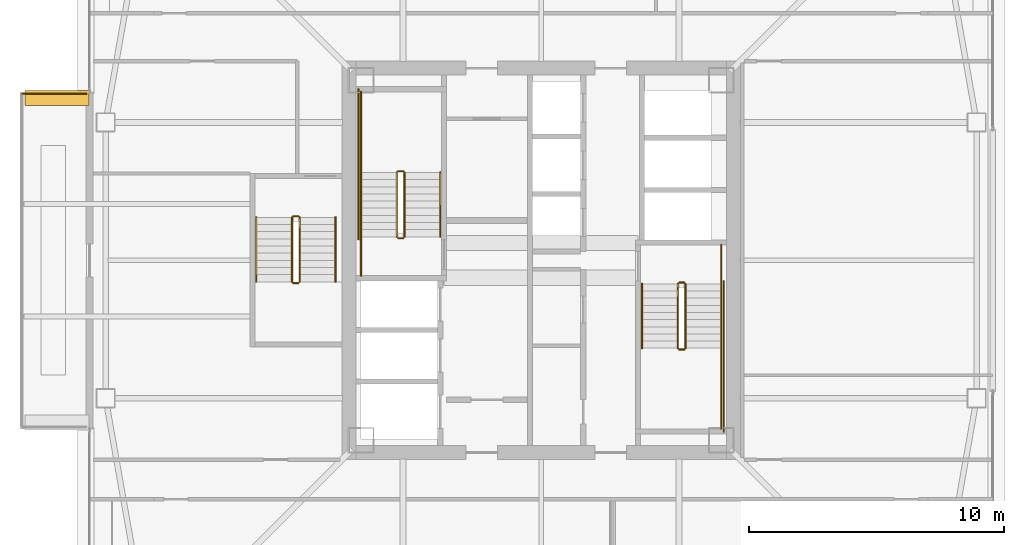
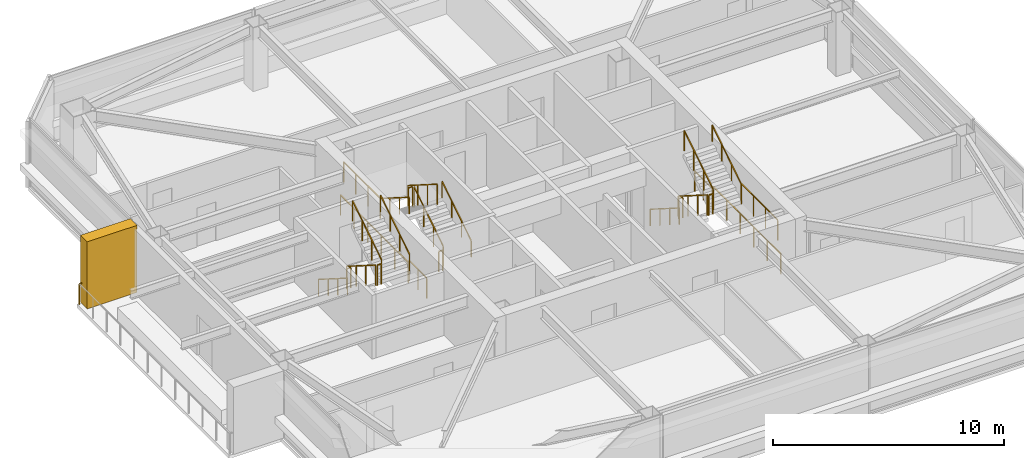
# One storey, part 37 of 41: 25 railings, 1 covering.
"""IFC4 building model written with IfcOpenShell, lengths in metres."""

from ifc_helpers import new_model, si_unit, direction, frame, origin, origin_2d, place, context, subcontext, project, spatial, rectangle, extrude, material, layer, layer_set, type_object, element, save


model = new_model("IFC4")

# Units and contexts
model_context = context("Model", 3, precision=1e-05, world=origin(), true_north=direction((0.0, 1.0)))
body_context = subcontext(model_context, "Body", "Model", "MODEL_VIEW")
ifc_project = project(units=[si_unit("LENGTHUNIT", "METRE"), si_unit("AREAUNIT", "SQUARE_METRE"), si_unit("VOLUMEUNIT", "CUBIC_METRE"), si_unit("PLANEANGLEUNIT", "RADIAN"), si_unit("MASSUNIT", "GRAM", prefix="KILO")], contexts=[model_context])

# Site, building, storey
site_placement = place(None, origin())
site = spatial("IfcSite", under=ifc_project, at=site_placement, CompositionType="ELEMENT")
building_placement = place(site_placement, origin())
building = spatial("IfcBuilding", under=site, at=building_placement, Name="Tashvorn Skyway Center", CompositionType="ELEMENT")
storey_placement = place(building_placement, frame((0.0, 0.0, 192.5)))
storey = spatial("IfcBuildingStorey", under=building, at=storey_placement, Name="L52", CompositionType="ELEMENT", Elevation=192.5)

# Covering
ifc_material_1 = material(Name="Precast concrete C40/50", Category="concrete")
ifc_layer = layer(ifc_material_1, 0.35009765625)
ifc_layer_set = layer_set([ifc_layer], Name="Precast concrete C40/50")
covering_type = type_object("IfcCoveringType", Name="COV-STONE-TRIM", PredefinedType="CLADDING", material=ifc_layer_set)
covering_placement = place(storey_placement, frame((23.050048828125, 38.35009765625, 0.0), z_axis=(0.0, 0.0, 1.0), x_axis=(0.0, 1.0, 0.0)))
element("IfcCovering", 1, at=covering_placement, inside=storey, type_object=covering_type, Name="Tower 1 L52 Sky Garden Loggia Pier R", PredefinedType="CLADDING", context=body_context, shape_type="SweptSolid", body=[
    extrude(rectangle(XDim=0.580078125, YDim=2.5, at=origin_2d()), origin(), (0.0, 0.0, 1.0), 3.550048828125),
])

# Railings
ifc_material_2 = material(Name="Galvanized steel S355", Category="steel")
railing_type_1 = type_object("IfcRailingType", Name="RAIL-GUARD-1120", PredefinedType="GUARDRAIL", material=ifc_material_2)
railing_1_placement = place(storey_placement, frame((21.679931640625, 38.52001953125, 0.0)))
element("IfcRailing", 2, at=railing_1_placement, inside=storey, type_object=railing_type_1, Name="L52 Tower 1 Terrace Guardrail 03", PredefinedType="GUARDRAIL", context=body_context, shape_type="SweptSolid", body=[
    extrude(rectangle(XDim=0.048095703125, YDim=0.048095703125, at=origin_2d()), frame((0.0, 0.0, 1.09619140625), z_axis=(1.0, 0.0, 0.0), x_axis=(0.0, 1.0, 0.0)), (0.0, 0.0, 1.0), 2.52001953125),
    extrude(rectangle(XDim=0.0419921875, YDim=0.0419921875, at=origin_2d()), origin(), (0.0, 0.0, 1.0), 1.072021484375),
    extrude(rectangle(XDim=0.0419921875, YDim=0.0419921875, at=origin_2d()), frame((0.840087890625, 0.0, 0.0)), (0.0, 0.0, 1.0), 1.072021484375),
    extrude(rectangle(XDim=0.0419921875, YDim=0.0419921875, at=origin_2d()), frame((1.679931640625, 0.0, 0.0)), (0.0, 0.0, 1.0), 1.072021484375),
    extrude(rectangle(XDim=0.0419921875, YDim=0.0419921875, at=origin_2d()), frame((2.52001953125, 0.0, 0.0)), (0.0, 0.0, 1.0), 1.072021484375),
])
ifc_material_3 = material(Name="Brushed stainless steel 316", Category="steel")
railing_type_2 = type_object("IfcRailingType", Name="RAIL-HAND-920", PredefinedType="HANDRAIL", material=ifc_material_3)
railing_2_placement = place(storey_placement, frame((38.050048828125, 32.919921875, 0.177490234375)))
element("IfcRailing", 3, at=railing_2_placement, inside=storey, type_object=railing_type_2, Name="L52 ST-T1-1 stair handrail 1", PredefinedType="HANDRAIL", context=body_context, shape_type="SweptSolid", body=[
    extrude(rectangle(XDim=0.048095703125, YDim=0.048095703125, at=origin_2d()), frame((0.0, 0.0, 0.8759765625), z_axis=(0.0, 0.84460694969, 0.535386869969), x_axis=(-1.0, 0.0, 0.0)), (0.0, 0.0, 1.0), 2.983642578125),
    extrude(rectangle(XDim=0.0419921875, YDim=0.0419921875, at=origin_2d()), origin(), (0.0, 0.0, 1.0), 0.851806640625),
    extrude(rectangle(XDim=0.0419921875, YDim=0.0419921875, at=origin_2d()), frame((0.0, 0.840087890625, 0.532470703125)), (0.0, 0.0, 1.0), 0.851806640625),
    extrude(rectangle(XDim=0.0419921875, YDim=0.0419921875, at=origin_2d()), frame((0.0, 1.679931640625, 1.06494140625)), (0.0, 0.0, 1.0), 0.851806640625),
    extrude(rectangle(XDim=0.0419921875, YDim=0.0419921875, at=origin_2d()), frame((0.0, 2.52001953125, 1.597412109375)), (0.0, 0.0, 1.0), 0.851806640625),
])
railing_3_placement = place(storey_placement, frame((34.949951171875, 35.43994140625, 1.952392578125)))
element("IfcRailing", 4, at=railing_3_placement, inside=storey, type_object=railing_type_2, Name="L52 ST-T1-1 stair handrail 2", PredefinedType="HANDRAIL", context=body_context, shape_type="SweptSolid", body=[
    extrude(rectangle(XDim=0.048095703125, YDim=0.048095703125, at=origin_2d()), frame((0.0, 0.0, 0.8759765625), z_axis=(0.0, -0.84456994832, 0.535445237532), x_axis=(1.0, 0.0, 0.0)), (0.0, 0.0, 1.0), 2.98388671875),
    extrude(rectangle(XDim=0.0419921875, YDim=0.0419921875, at=origin_2d()), origin(), (0.0, 0.0, 1.0), 0.851806640625),
    extrude(rectangle(XDim=0.0419921875, YDim=0.0419921875, at=origin_2d()), frame((0.0, -0.840087890625, 0.532470703125)), (0.0, 0.0, 1.0), 0.851806640625),
    extrude(rectangle(XDim=0.0419921875, YDim=0.0419921875, at=origin_2d()), frame((0.0, -1.679931640625, 1.065185546875)), (0.0, 0.0, 1.0), 0.851806640625),
    extrude(rectangle(XDim=0.0419921875, YDim=0.0419921875, at=origin_2d()), frame((0.0, -2.52001953125, 1.59765625)), (0.0, 0.0, 1.0), 0.851806640625),
])
railing_4_placement = place(storey_placement, frame((45.949951171875, 31.080078125, 0.177490234375)))
element("IfcRailing", 5, at=railing_4_placement, inside=storey, type_object=railing_type_2, Name="L52 ST-T1-2 stair handrail 1", PredefinedType="HANDRAIL", context=body_context, shape_type="SweptSolid", body=[
    extrude(rectangle(XDim=0.048095703125, YDim=0.048095703125, at=origin_2d()), frame((0.0, 0.0, 0.8759765625), z_axis=(0.0, -0.84460694969, 0.535386869969), x_axis=(1.0, 0.0, 0.0)), (0.0, 0.0, 1.0), 2.983642578125),
    extrude(rectangle(XDim=0.0419921875, YDim=0.0419921875, at=origin_2d()), origin(), (0.0, 0.0, 1.0), 0.851806640625),
    extrude(rectangle(XDim=0.0419921875, YDim=0.0419921875, at=origin_2d()), frame((0.0, -0.840087890625, 0.532470703125)), (0.0, 0.0, 1.0), 0.851806640625),
    extrude(rectangle(XDim=0.0419921875, YDim=0.0419921875, at=origin_2d()), frame((0.0, -1.679931640625, 1.06494140625)), (0.0, 0.0, 1.0), 0.851806640625),
    extrude(rectangle(XDim=0.0419921875, YDim=0.0419921875, at=origin_2d()), frame((0.0, -2.52001953125, 1.597412109375)), (0.0, 0.0, 1.0), 0.851806640625),
])
railing_5_placement = place(storey_placement, frame((49.050048828125, 28.56005859375, 1.952392578125)))
element("IfcRailing", 6, at=railing_5_placement, inside=storey, type_object=railing_type_2, Name="L52 ST-T1-2 stair handrail 2", PredefinedType="HANDRAIL", context=body_context, shape_type="SweptSolid", body=[
    extrude(rectangle(XDim=0.048095703125, YDim=0.048095703125, at=origin_2d()), frame((0.0, 0.0, 0.8759765625), z_axis=(0.0, 0.84456994832, 0.535445237532), x_axis=(-1.0, 0.0, 0.0)), (0.0, 0.0, 1.0), 2.98388671875),
    extrude(rectangle(XDim=0.0419921875, YDim=0.0419921875, at=origin_2d()), origin(), (0.0, 0.0, 1.0), 0.851806640625),
    extrude(rectangle(XDim=0.0419921875, YDim=0.0419921875, at=origin_2d()), frame((0.0, 0.840087890625, 0.532470703125)), (0.0, 0.0, 1.0), 0.851806640625),
    extrude(rectangle(XDim=0.0419921875, YDim=0.0419921875, at=origin_2d()), frame((0.0, 1.679931640625, 1.065185546875)), (0.0, 0.0, 1.0), 0.851806640625),
    extrude(rectangle(XDim=0.0419921875, YDim=0.0419921875, at=origin_2d()), frame((0.0, 2.52001953125, 1.59765625)), (0.0, 0.0, 1.0), 0.851806640625),
])
railing_6_placement = place(storey_placement, frame((30.85009765625, 33.679931640625, 0.177490234375)))
element("IfcRailing", 7, at=railing_6_placement, inside=storey, type_object=railing_type_2, Name="L52 ST-T1-3 stair handrail 1", PredefinedType="HANDRAIL", context=body_context, shape_type="SweptSolid", body=[
    extrude(rectangle(XDim=0.048095703125, YDim=0.048095703125, at=origin_2d()), frame((0.0, 0.0, 0.8759765625), z_axis=(0.0, -0.84460694969, 0.535386869969), x_axis=(1.0, 0.0, 0.0)), (0.0, 0.0, 1.0), 2.983642578125),
    extrude(rectangle(XDim=0.0419921875, YDim=0.0419921875, at=origin_2d()), origin(), (0.0, 0.0, 1.0), 0.851806640625),
    extrude(rectangle(XDim=0.0419921875, YDim=0.0419921875, at=origin_2d()), frame((0.0, -0.840087890625, 0.532470703125)), (0.0, 0.0, 1.0), 0.851806640625),
    extrude(rectangle(XDim=0.0419921875, YDim=0.0419921875, at=origin_2d()), frame((0.0, -1.679931640625, 1.06494140625)), (0.0, 0.0, 1.0), 0.851806640625),
    extrude(rectangle(XDim=0.0419921875, YDim=0.0419921875, at=origin_2d()), frame((0.0, -2.52001953125, 1.597412109375)), (0.0, 0.0, 1.0), 0.851806640625),
])
railing_7_placement = place(storey_placement, frame((33.949951171875, 31.159912109375, 1.952392578125)))
element("IfcRailing", 8, at=railing_7_placement, inside=storey, type_object=railing_type_2, Name="L52 ST-T1-3 stair handrail 2", PredefinedType="HANDRAIL", context=body_context, shape_type="SweptSolid", body=[
    extrude(rectangle(XDim=0.048095703125, YDim=0.048095703125, at=origin_2d()), frame((0.0, 0.0, 0.8759765625), z_axis=(0.0, 0.84456994832, 0.535445237532), x_axis=(-1.0, 0.0, 0.0)), (0.0, 0.0, 1.0), 2.98388671875),
    extrude(rectangle(XDim=0.0419921875, YDim=0.0419921875, at=origin_2d()), origin(), (0.0, 0.0, 1.0), 0.851806640625),
    extrude(rectangle(XDim=0.0419921875, YDim=0.0419921875, at=origin_2d()), frame((0.0, 0.840087890625, 0.532470703125)), (0.0, 0.0, 1.0), 0.851806640625),
    extrude(rectangle(XDim=0.0419921875, YDim=0.0419921875, at=origin_2d()), frame((0.0, 1.679931640625, 1.065185546875)), (0.0, 0.0, 1.0), 0.851806640625),
    extrude(rectangle(XDim=0.0419921875, YDim=0.0419921875, at=origin_2d()), frame((0.0, 2.52001953125, 1.59765625)), (0.0, 0.0, 1.0), 0.851806640625),
])
ifc_material_4 = material(Name="Painted galvanized steel S355", Category="steel")
railing_type_3 = type_object("IfcRailingType", Name="RAIL-STGUARD-1100", PredefinedType="GUARDRAIL", material=ifc_material_4)
railing_8_placement = place(storey_placement, frame((36.64990234375, 32.919921875, 0.177490234375)))
element("IfcRailing", 9, at=railing_8_placement, inside=storey, type_object=railing_type_3, Name="L52 ST-T1-1 stair guard 1", PredefinedType="GUARDRAIL", context=body_context, shape_type="SweptSolid", body=[
    extrude(rectangle(XDim=0.048095703125, YDim=0.048095703125, at=origin_2d()), frame((0.0, 0.0, 1.076171875), z_axis=(0.0, 0.84460694969, 0.535386869969), x_axis=(-1.0, 0.0, 0.0)), (0.0, 0.0, 1.0), 2.983642578125),
    extrude(rectangle(XDim=0.0419921875, YDim=0.0419921875, at=origin_2d()), origin(), (0.0, 0.0, 1.0), 1.052001953125),
    extrude(rectangle(XDim=0.0419921875, YDim=0.0419921875, at=origin_2d()), frame((0.0, 0.840087890625, 0.532470703125)), (0.0, 0.0, 1.0), 1.052001953125),
    extrude(rectangle(XDim=0.0419921875, YDim=0.0419921875, at=origin_2d()), frame((0.0, 1.679931640625, 1.06494140625)), (0.0, 0.0, 1.0), 1.052001953125),
    extrude(rectangle(XDim=0.0419921875, YDim=0.0419921875, at=origin_2d()), frame((0.0, 2.52001953125, 1.597412109375)), (0.0, 0.0, 1.0), 1.052001953125),
])
railing_9_placement = place(storey_placement, frame((36.60009765625, 35.489990234375, 1.77490234375)))
element("IfcRailing", 10, at=railing_9_placement, inside=storey, type_object=railing_type_3, Name="L52 ST-T1-1 stair guard 2", PredefinedType="GUARDRAIL", context=body_context, shape_type="SweptSolid", body=[
    extrude(rectangle(XDim=0.048095703125, YDim=0.048095703125, at=origin_2d()), frame((0.0, 0.0, 1.076171875), z_axis=(-1.0, 0.0, 0.0), x_axis=(0.0, -1.0, 0.0)), (0.0, 0.0, 1.0), 0.2001953125),
    extrude(rectangle(XDim=0.0419921875, YDim=0.0419921875, at=origin_2d()), origin(), (0.0, 0.0, 1.0), 1.052001953125),
    extrude(rectangle(XDim=0.0419921875, YDim=0.0419921875, at=origin_2d()), frame((-0.2001953125, 0.0, 0.0)), (0.0, 0.0, 1.0), 1.052001953125),
])
railing_10_placement = place(storey_placement, frame((34.949951171875, 35.43994140625, 1.77490234375)))
element("IfcRailing", 11, at=railing_10_placement, inside=storey, type_object=railing_type_3, Name="L52 ST-T1-1 stair guard 3", PredefinedType="GUARDRAIL", context=body_context, shape_type="SweptSolid", body=[
    extrude(rectangle(XDim=0.048095703125, YDim=0.048095703125, at=origin_2d()), frame((0.0, 0.0, 1.076171875), z_axis=(0.0, 1.0, 0.0), x_axis=(-1.0, 0.0, 0.0)), (0.0, 0.0, 1.0), 3.16015625),
    extrude(rectangle(XDim=0.0419921875, YDim=0.0419921875, at=origin_2d()), origin(), (0.0, 0.0, 1.0), 1.052001953125),
    extrude(rectangle(XDim=0.0419921875, YDim=0.0419921875, at=origin_2d()), frame((0.0, 1.053466796875, 0.0)), (0.0, 0.0, 1.0), 1.052001953125),
    extrude(rectangle(XDim=0.0419921875, YDim=0.0419921875, at=origin_2d()), frame((0.0, 2.106689453125, 0.0)), (0.0, 0.0, 1.0), 1.052001953125),
    extrude(rectangle(XDim=0.0419921875, YDim=0.0419921875, at=origin_2d()), frame((0.0, 3.16015625, 0.0)), (0.0, 0.0, 1.0), 1.052001953125),
])
railing_11_placement = place(storey_placement, frame((36.35009765625, 35.43994140625, 1.952392578125)))
element("IfcRailing", 12, at=railing_11_placement, inside=storey, type_object=railing_type_3, Name="L52 ST-T1-1 stair guard 4", PredefinedType="GUARDRAIL", context=body_context, shape_type="SweptSolid", body=[
    extrude(rectangle(XDim=0.048095703125, YDim=0.048095703125, at=origin_2d()), frame((0.0, 0.0, 1.076171875), z_axis=(0.0, -0.84456994832, 0.535445237532), x_axis=(1.0, 0.0, 0.0)), (0.0, 0.0, 1.0), 2.98388671875),
    extrude(rectangle(XDim=0.0419921875, YDim=0.0419921875, at=origin_2d()), origin(), (0.0, 0.0, 1.0), 1.052001953125),
    extrude(rectangle(XDim=0.0419921875, YDim=0.0419921875, at=origin_2d()), frame((0.0, -0.840087890625, 0.532470703125)), (0.0, 0.0, 1.0), 1.052001953125),
    extrude(rectangle(XDim=0.0419921875, YDim=0.0419921875, at=origin_2d()), frame((0.0, -1.679931640625, 1.065185546875)), (0.0, 0.0, 1.0), 1.052001953125),
    extrude(rectangle(XDim=0.0419921875, YDim=0.0419921875, at=origin_2d()), frame((0.0, -2.52001953125, 1.59765625)), (0.0, 0.0, 1.0), 1.052001953125),
])
railing_12_placement = place(storey_placement, frame((36.60009765625, 32.8701171875, 0.0)))
element("IfcRailing", 13, at=railing_12_placement, inside=storey, type_object=railing_type_3, Name="L52 ST-T1-1 stair guard 5", PredefinedType="GUARDRAIL", context=body_context, shape_type="SweptSolid", body=[
    extrude(rectangle(XDim=0.048095703125, YDim=0.048095703125, at=origin_2d()), frame((0.0, 0.0, 1.076171875), z_axis=(-1.0, 0.0, 0.0), x_axis=(0.0, -1.0, 0.0)), (0.0, 0.0, 1.0), 0.2001953125),
    extrude(rectangle(XDim=0.0419921875, YDim=0.0419921875, at=origin_2d()), origin(), (0.0, 0.0, 1.0), 1.052001953125),
    extrude(rectangle(XDim=0.0419921875, YDim=0.0419921875, at=origin_2d()), frame((-0.2001953125, 0.0, 0.0)), (0.0, 0.0, 1.0), 1.052001953125),
])
railing_13_placement = place(storey_placement, frame((34.949951171875, 31.39990234375, 0.0)))
element("IfcRailing", 14, at=railing_13_placement, inside=storey, type_object=railing_type_3, Name="L52 ST-T1-1 stair guard 6", PredefinedType="GUARDRAIL", context=body_context, shape_type="SweptSolid", body=[
    extrude(rectangle(XDim=0.048095703125, YDim=0.048095703125, at=origin_2d()), frame((0.0, 0.0, 1.076171875), z_axis=(0.0, 1.0, 0.0), x_axis=(-1.0, 0.0, 0.0)), (0.0, 0.0, 1.0), 1.52001953125),
    extrude(rectangle(XDim=0.0419921875, YDim=0.0419921875, at=origin_2d()), origin(), (0.0, 0.0, 1.0), 1.052001953125),
    extrude(rectangle(XDim=0.0419921875, YDim=0.0419921875, at=origin_2d()), frame((0.0, 0.760009765625, 0.0)), (0.0, 0.0, 1.0), 1.052001953125),
    extrude(rectangle(XDim=0.0419921875, YDim=0.0419921875, at=origin_2d()), frame((0.0, 1.52001953125, 0.0)), (0.0, 0.0, 1.0), 1.052001953125),
])
railing_14_placement = place(storey_placement, frame((34.85009765625, 32.820068359375, 0.0)))
element("IfcRailing", 15, at=railing_14_placement, inside=storey, type_object=railing_type_3, Name="L52 ST-T1-1 stair guard 7", PredefinedType="GUARDRAIL", context=body_context, shape_type="SweptSolid", body=[
    extrude(rectangle(XDim=0.048095703125, YDim=0.048095703125, at=origin_2d()), frame((0.0, 0.0, 1.076171875), z_axis=(0.0, 1.0, 0.0), x_axis=(-1.0, 0.0, 0.0)), (0.0, 0.0, 1.0), 5.8798828125),
    extrude(rectangle(XDim=0.0419921875, YDim=0.0419921875, at=origin_2d()), origin(), (0.0, 0.0, 1.0), 1.052001953125),
    extrude(rectangle(XDim=0.0419921875, YDim=0.0419921875, at=origin_2d()), frame((0.0, 1.176025390625, 0.0)), (0.0, 0.0, 1.0), 1.052001953125),
    extrude(rectangle(XDim=0.0419921875, YDim=0.0419921875, at=origin_2d()), frame((0.0, 2.35205078125, 0.0)), (0.0, 0.0, 1.0), 1.052001953125),
    extrude(rectangle(XDim=0.0419921875, YDim=0.0419921875, at=origin_2d()), frame((0.0, 3.52783203125, 0.0)), (0.0, 0.0, 1.0), 1.052001953125),
    extrude(rectangle(XDim=0.0419921875, YDim=0.0419921875, at=origin_2d()), frame((0.0, 4.703857421875, 0.0)), (0.0, 0.0, 1.0), 1.052001953125),
    extrude(rectangle(XDim=0.0419921875, YDim=0.0419921875, at=origin_2d()), frame((0.0, 5.8798828125, 0.0)), (0.0, 0.0, 1.0), 1.052001953125),
])
railing_15_placement = place(storey_placement, frame((47.35009765625, 31.080078125, 0.177490234375)))
element("IfcRailing", 16, at=railing_15_placement, inside=storey, type_object=railing_type_3, Name="L52 ST-T1-2 stair guard 1", PredefinedType="GUARDRAIL", context=body_context, shape_type="SweptSolid", body=[
    extrude(rectangle(XDim=0.048095703125, YDim=0.048095703125, at=origin_2d()), frame((0.0, 0.0, 1.076171875), z_axis=(0.0, -0.84460694969, 0.535386869969), x_axis=(1.0, 0.0, 0.0)), (0.0, 0.0, 1.0), 2.983642578125),
    extrude(rectangle(XDim=0.0419921875, YDim=0.0419921875, at=origin_2d()), origin(), (0.0, 0.0, 1.0), 1.052001953125),
    extrude(rectangle(XDim=0.0419921875, YDim=0.0419921875, at=origin_2d()), frame((0.0, -0.840087890625, 0.532470703125)), (0.0, 0.0, 1.0), 1.052001953125),
    extrude(rectangle(XDim=0.0419921875, YDim=0.0419921875, at=origin_2d()), frame((0.0, -1.679931640625, 1.06494140625)), (0.0, 0.0, 1.0), 1.052001953125),
    extrude(rectangle(XDim=0.0419921875, YDim=0.0419921875, at=origin_2d()), frame((0.0, -2.52001953125, 1.597412109375)), (0.0, 0.0, 1.0), 1.052001953125),
])
railing_16_placement = place(storey_placement, frame((47.39990234375, 28.510009765625, 1.77490234375)))
element("IfcRailing", 17, at=railing_16_placement, inside=storey, type_object=railing_type_3, Name="L52 ST-T1-2 stair guard 2", PredefinedType="GUARDRAIL", context=body_context, shape_type="SweptSolid", body=[
    extrude(rectangle(XDim=0.048095703125, YDim=0.048095703125, at=origin_2d()), frame((0.0, 0.0, 1.076171875), z_axis=(1.0, 0.0, 0.0), x_axis=(0.0, 1.0, 0.0)), (0.0, 0.0, 1.0), 0.2001953125),
    extrude(rectangle(XDim=0.0419921875, YDim=0.0419921875, at=origin_2d()), origin(), (0.0, 0.0, 1.0), 1.052001953125),
    extrude(rectangle(XDim=0.0419921875, YDim=0.0419921875, at=origin_2d()), frame((0.2001953125, 0.0, 0.0)), (0.0, 0.0, 1.0), 1.052001953125),
])
railing_17_placement = place(storey_placement, frame((49.050048828125, 28.56005859375, 1.77490234375)))
element("IfcRailing", 18, at=railing_17_placement, inside=storey, type_object=railing_type_3, Name="L52 ST-T1-2 stair guard 3", PredefinedType="GUARDRAIL", context=body_context, shape_type="SweptSolid", body=[
    extrude(rectangle(XDim=0.048095703125, YDim=0.048095703125, at=origin_2d()), frame((0.0, 0.0, 1.076171875), z_axis=(0.0, -1.0, 0.0), x_axis=(1.0, 0.0, 0.0)), (0.0, 0.0, 1.0), 3.16015625),
    extrude(rectangle(XDim=0.0419921875, YDim=0.0419921875, at=origin_2d()), origin(), (0.0, 0.0, 1.0), 1.052001953125),
    extrude(rectangle(XDim=0.0419921875, YDim=0.0419921875, at=origin_2d()), frame((0.0, -1.053466796875, 0.0)), (0.0, 0.0, 1.0), 1.052001953125),
    extrude(rectangle(XDim=0.0419921875, YDim=0.0419921875, at=origin_2d()), frame((0.0, -2.106689453125, 0.0)), (0.0, 0.0, 1.0), 1.052001953125),
    extrude(rectangle(XDim=0.0419921875, YDim=0.0419921875, at=origin_2d()), frame((0.0, -3.16015625, 0.0)), (0.0, 0.0, 1.0), 1.052001953125),
])
railing_18_placement = place(storey_placement, frame((47.64990234375, 28.56005859375, 1.952392578125)))
element("IfcRailing", 19, at=railing_18_placement, inside=storey, type_object=railing_type_3, Name="L52 ST-T1-2 stair guard 4", PredefinedType="GUARDRAIL", context=body_context, shape_type="SweptSolid", body=[
    extrude(rectangle(XDim=0.048095703125, YDim=0.048095703125, at=origin_2d()), frame((0.0, 0.0, 1.076171875), z_axis=(0.0, 0.84456994832, 0.535445237532), x_axis=(-1.0, 0.0, 0.0)), (0.0, 0.0, 1.0), 2.98388671875),
    extrude(rectangle(XDim=0.0419921875, YDim=0.0419921875, at=origin_2d()), origin(), (0.0, 0.0, 1.0), 1.052001953125),
    extrude(rectangle(XDim=0.0419921875, YDim=0.0419921875, at=origin_2d()), frame((0.0, 0.840087890625, 0.532470703125)), (0.0, 0.0, 1.0), 1.052001953125),
    extrude(rectangle(XDim=0.0419921875, YDim=0.0419921875, at=origin_2d()), frame((0.0, 1.679931640625, 1.065185546875)), (0.0, 0.0, 1.0), 1.052001953125),
    extrude(rectangle(XDim=0.0419921875, YDim=0.0419921875, at=origin_2d()), frame((0.0, 2.52001953125, 1.59765625)), (0.0, 0.0, 1.0), 1.052001953125),
])
railing_19_placement = place(storey_placement, frame((47.39990234375, 31.1298828125, 0.0)))
element("IfcRailing", 20, at=railing_19_placement, inside=storey, type_object=railing_type_3, Name="L52 ST-T1-2 stair guard 5", PredefinedType="GUARDRAIL", context=body_context, shape_type="SweptSolid", body=[
    extrude(rectangle(XDim=0.048095703125, YDim=0.048095703125, at=origin_2d()), frame((0.0, 0.0, 1.076171875), z_axis=(1.0, 0.0, 0.0), x_axis=(0.0, 1.0, 0.0)), (0.0, 0.0, 1.0), 0.2001953125),
    extrude(rectangle(XDim=0.0419921875, YDim=0.0419921875, at=origin_2d()), origin(), (0.0, 0.0, 1.0), 1.052001953125),
    extrude(rectangle(XDim=0.0419921875, YDim=0.0419921875, at=origin_2d()), frame((0.2001953125, 0.0, 0.0)), (0.0, 0.0, 1.0), 1.052001953125),
])
railing_20_placement = place(storey_placement, frame((49.050048828125, 32.60009765625, 0.0)))
element("IfcRailing", 21, at=railing_20_placement, inside=storey, type_object=railing_type_3, Name="L52 ST-T1-2 stair guard 6", PredefinedType="GUARDRAIL", context=body_context, shape_type="SweptSolid", body=[
    extrude(rectangle(XDim=0.048095703125, YDim=0.048095703125, at=origin_2d()), frame((0.0, 0.0, 1.076171875), z_axis=(0.0, -1.0, 0.0), x_axis=(1.0, 0.0, 0.0)), (0.0, 0.0, 1.0), 1.52001953125),
    extrude(rectangle(XDim=0.0419921875, YDim=0.0419921875, at=origin_2d()), origin(), (0.0, 0.0, 1.0), 1.052001953125),
    extrude(rectangle(XDim=0.0419921875, YDim=0.0419921875, at=origin_2d()), frame((0.0, -0.760009765625, 0.0)), (0.0, 0.0, 1.0), 1.052001953125),
    extrude(rectangle(XDim=0.0419921875, YDim=0.0419921875, at=origin_2d()), frame((0.0, -1.52001953125, 0.0)), (0.0, 0.0, 1.0), 1.052001953125),
])
railing_21_placement = place(storey_placement, frame((49.14990234375, 31.179931640625, 0.0)))
element("IfcRailing", 22, at=railing_21_placement, inside=storey, type_object=railing_type_3, Name="L52 ST-T1-2 stair guard 7", PredefinedType="GUARDRAIL", context=body_context, shape_type="SweptSolid", body=[
    extrude(rectangle(XDim=0.048095703125, YDim=0.048095703125, at=origin_2d()), frame((0.0, 0.0, 1.076171875), z_axis=(0.0, -1.0, 0.0), x_axis=(1.0, 0.0, 0.0)), (0.0, 0.0, 1.0), 5.8798828125),
    extrude(rectangle(XDim=0.0419921875, YDim=0.0419921875, at=origin_2d()), origin(), (0.0, 0.0, 1.0), 1.052001953125),
    extrude(rectangle(XDim=0.0419921875, YDim=0.0419921875, at=origin_2d()), frame((0.0, -1.176025390625, 0.0)), (0.0, 0.0, 1.0), 1.052001953125),
    extrude(rectangle(XDim=0.0419921875, YDim=0.0419921875, at=origin_2d()), frame((0.0, -2.35205078125, 0.0)), (0.0, 0.0, 1.0), 1.052001953125),
    extrude(rectangle(XDim=0.0419921875, YDim=0.0419921875, at=origin_2d()), frame((0.0, -3.52783203125, 0.0)), (0.0, 0.0, 1.0), 1.052001953125),
    extrude(rectangle(XDim=0.0419921875, YDim=0.0419921875, at=origin_2d()), frame((0.0, -4.703857421875, 0.0)), (0.0, 0.0, 1.0), 1.052001953125),
    extrude(rectangle(XDim=0.0419921875, YDim=0.0419921875, at=origin_2d()), frame((0.0, -5.8798828125, 0.0)), (0.0, 0.0, 1.0), 1.052001953125),
])
railing_22_placement = place(storey_placement, frame((32.25, 33.679931640625, 0.177490234375)))
element("IfcRailing", 23, at=railing_22_placement, inside=storey, type_object=railing_type_3, Name="L52 ST-T1-3 stair guard 1", PredefinedType="GUARDRAIL", context=body_context, shape_type="SweptSolid", body=[
    extrude(rectangle(XDim=0.048095703125, YDim=0.048095703125, at=origin_2d()), frame((0.0, 0.0, 1.076171875), z_axis=(0.0, -0.84460694969, 0.535386869969), x_axis=(1.0, 0.0, 0.0)), (0.0, 0.0, 1.0), 2.983642578125),
    extrude(rectangle(XDim=0.0419921875, YDim=0.0419921875, at=origin_2d()), origin(), (0.0, 0.0, 1.0), 1.052001953125),
    extrude(rectangle(XDim=0.0419921875, YDim=0.0419921875, at=origin_2d()), frame((0.0, -0.840087890625, 0.532470703125)), (0.0, 0.0, 1.0), 1.052001953125),
    extrude(rectangle(XDim=0.0419921875, YDim=0.0419921875, at=origin_2d()), frame((0.0, -1.679931640625, 1.06494140625)), (0.0, 0.0, 1.0), 1.052001953125),
    extrude(rectangle(XDim=0.0419921875, YDim=0.0419921875, at=origin_2d()), frame((0.0, -2.52001953125, 1.597412109375)), (0.0, 0.0, 1.0), 1.052001953125),
])
railing_23_placement = place(storey_placement, frame((32.300048828125, 31.110107421875, 1.77490234375)))
element("IfcRailing", 24, at=railing_23_placement, inside=storey, type_object=railing_type_3, Name="L52 ST-T1-3 stair guard 2", PredefinedType="GUARDRAIL", context=body_context, shape_type="SweptSolid", body=[
    extrude(rectangle(XDim=0.048095703125, YDim=0.048095703125, at=origin_2d()), frame((0.0, 0.0, 1.076171875), z_axis=(1.0, 0.0, 0.0), x_axis=(0.0, 1.0, 0.0)), (0.0, 0.0, 1.0), 0.199951171875),
    extrude(rectangle(XDim=0.0419921875, YDim=0.0419921875, at=origin_2d()), origin(), (0.0, 0.0, 1.0), 1.052001953125),
    extrude(rectangle(XDim=0.0419921875, YDim=0.0419921875, at=origin_2d()), frame((0.199951171875, 0.0, 0.0)), (0.0, 0.0, 1.0), 1.052001953125),
])
railing_24_placement = place(storey_placement, frame((32.550048828125, 31.159912109375, 1.952392578125)))
element("IfcRailing", 25, at=railing_24_placement, inside=storey, type_object=railing_type_3, Name="L52 ST-T1-3 stair guard 3", PredefinedType="GUARDRAIL", context=body_context, shape_type="SweptSolid", body=[
    extrude(rectangle(XDim=0.048095703125, YDim=0.048095703125, at=origin_2d()), frame((0.0, 0.0, 1.076171875), z_axis=(0.0, 0.84456994832, 0.535445237532), x_axis=(-1.0, 0.0, 0.0)), (0.0, 0.0, 1.0), 2.98388671875),
    extrude(rectangle(XDim=0.0419921875, YDim=0.0419921875, at=origin_2d()), origin(), (0.0, 0.0, 1.0), 1.052001953125),
    extrude(rectangle(XDim=0.0419921875, YDim=0.0419921875, at=origin_2d()), frame((0.0, 0.840087890625, 0.532470703125)), (0.0, 0.0, 1.0), 1.052001953125),
    extrude(rectangle(XDim=0.0419921875, YDim=0.0419921875, at=origin_2d()), frame((0.0, 1.679931640625, 1.065185546875)), (0.0, 0.0, 1.0), 1.052001953125),
    extrude(rectangle(XDim=0.0419921875, YDim=0.0419921875, at=origin_2d()), frame((0.0, 2.52001953125, 1.59765625)), (0.0, 0.0, 1.0), 1.052001953125),
])
railing_25_placement = place(storey_placement, frame((32.300048828125, 33.72998046875, 0.0)))
element("IfcRailing", 26, at=railing_25_placement, inside=storey, type_object=railing_type_3, Name="L52 ST-T1-3 stair guard 4", PredefinedType="GUARDRAIL", context=body_context, shape_type="SweptSolid", body=[
    extrude(rectangle(XDim=0.048095703125, YDim=0.048095703125, at=origin_2d()), frame((0.0, 0.0, 1.076171875), z_axis=(1.0, 0.0, 0.0), x_axis=(0.0, 1.0, 0.0)), (0.0, 0.0, 1.0), 0.199951171875),
    extrude(rectangle(XDim=0.0419921875, YDim=0.0419921875, at=origin_2d()), origin(), (0.0, 0.0, 1.0), 1.052001953125),
    extrude(rectangle(XDim=0.0419921875, YDim=0.0419921875, at=origin_2d()), frame((0.199951171875, 0.0, 0.0)), (0.0, 0.0, 1.0), 1.052001953125),
])

save(model, "model.ifc")
